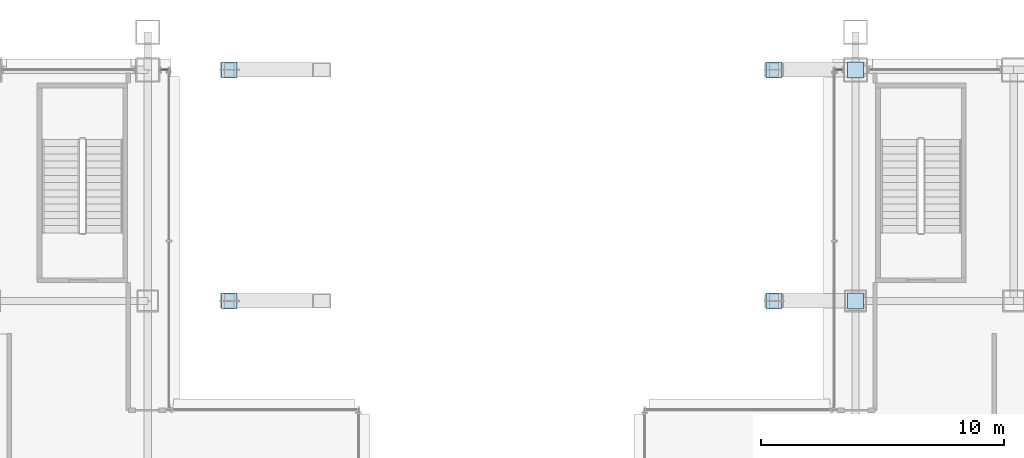
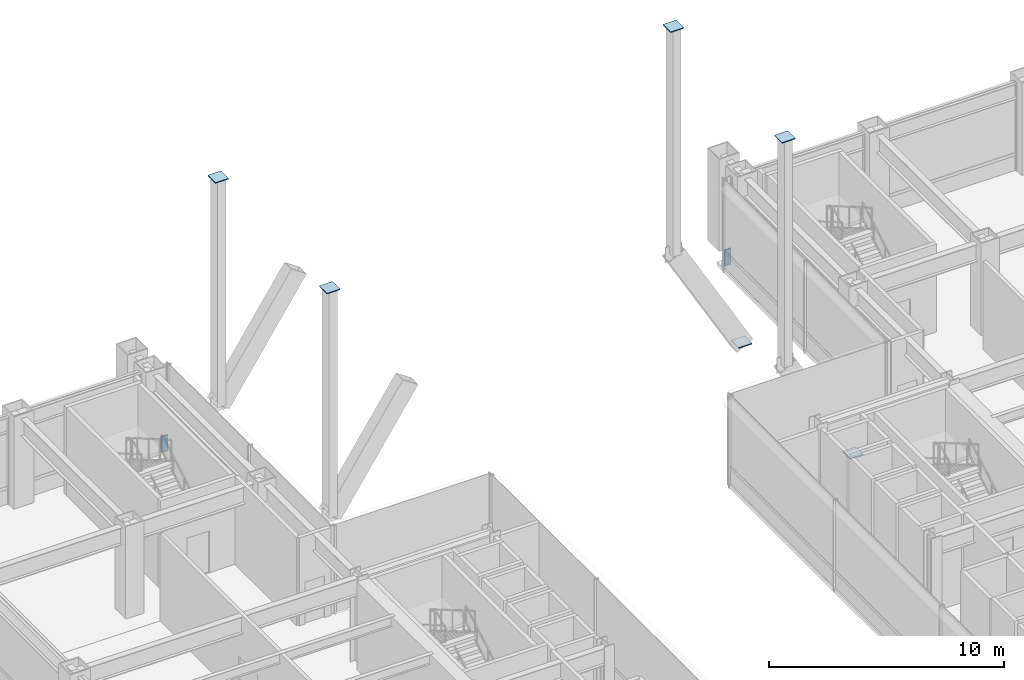
# One storey, part 34 of 40: 8 plates, 2 elements without a shape of their own.
"""IFC4 building model written with IfcOpenShell, lengths in metres."""

from ifc_helpers import new_model, si_unit, direction, frame, origin, origin_2d, place, context, subcontext, project, spatial, rectangle, extrude, material, layer, layer_set, type_object, element, aggregate, save


model = new_model("IFC4")

# Units and contexts
model_context = context("Model", 3, precision=1e-05, world=origin(), true_north=direction((0.0, 1.0)))
body_context = subcontext(model_context, "Body", "Model", "MODEL_VIEW")
ifc_project = project(units=[si_unit("LENGTHUNIT", "METRE"), si_unit("AREAUNIT", "SQUARE_METRE"), si_unit("VOLUMEUNIT", "CUBIC_METRE"), si_unit("PLANEANGLEUNIT", "RADIAN"), si_unit("MASSUNIT", "GRAM", prefix="KILO")], contexts=[model_context])

# Site, building, storey
site_placement = place(None, origin())
site = spatial("IfcSite", under=ifc_project, at=site_placement, CompositionType="ELEMENT")
building_placement = place(site_placement, origin())
building = spatial("IfcBuilding", under=site, at=building_placement, Name="Brelmoor Portico Tower", CompositionType="ELEMENT")
storey_placement = place(building_placement, frame((0.0, 0.0, 4.800048828125)))
storey = spatial("IfcBuildingStorey", under=building, at=storey_placement, Name="L01", CompositionType="ELEMENT", Elevation=4.800048828125)

# Plates
ifc_material_1 = material(Name="Steel Q355B", Category="steel")
ifc_layer_1 = layer(ifc_material_1, 0.044921875)
ifc_layer_set_1 = layer_set([ifc_layer_1], Name="Steel Q355B")
plate_type_1 = type_object("IfcPlateType", Name="PT-CAP-650", PredefinedType="SHEET", material=ifc_layer_set_1)
for number, where, z_axis, x_axis, name in (
    (1, (14.550048828125, 18.050048828125, -4.2724609375), (0.0, 0.0, 1.0), (1.0, 0.0, 0.0), "Giant Portico Arch Rib N2-8 Joint Cap Plate 2"),
    (2, (-11.199951171875, 18.050048828125, 13.33251953125), (0.0, 0.0, 1.0), (1.0, 0.0, 0.0), "Portico Arch Spandrel Strut N2-1 Joint Cap Plate 2"),
    (3, (11.199951171875, 18.050048828125, 13.33251953125), (0.0, 0.0, 1.0), (1.0, 0.0, 0.0), "Portico Arch Spandrel Strut N2-6 Joint Cap Plate 2"),
    (4, (14.550048828125, 27.550048828125, -4.2724609375), (0.0, 0.0, 1.0), (1.0, 0.0, 0.0), "Giant Portico Arch Rib N1-8 Joint Cap Plate 2"),
    (5, (-11.199951171875, 27.550048828125, 13.33251953125), (0.0, 0.0, 1.0), (1.0, 0.0, 0.0), "Portico Arch Spandrel Strut N1-1 Joint Cap Plate 2"),
    (6, (11.199951171875, 27.550048828125, 13.33251953125), (0.0, 0.0, 1.0), (1.0, 0.0, 0.0), "Portico Arch Spandrel Strut N1-6 Joint Cap Plate 2"),
):
    element("IfcPlate", number, at=place(storey_placement, frame(where, z_axis=z_axis, x_axis=x_axis)), inside=storey, type_object=plate_type_1, Name=name, PredefinedType="SHEET", context=body_context, shape_type="SweptSolid", body=[
        extrude(rectangle(XDim=0.64990234375, YDim=0.64990234375, at=origin_2d()), origin(), (0.0, 0.0, 1.0), 0.044921875),
    ])

# Curtain wall, plate
ifc_material_2 = material(Name="Anodised Aluminium Alloy 6063-T6", Category="aluminium")
ifc_layer_2 = layer(ifc_material_2, 0.179931640625)
ifc_layer_set_2 = layer_set([ifc_layer_2], Name="Anodised Aluminium Alloy 6063-T6")
curtain_wall_type = type_object("IfcCurtainWallType", Name="CW-PODIUM-ARCH", PredefinedType="NOTDEFINED", material=ifc_layer_set_2)
curtain_wall_1_placement = place(storey_placement, origin())
curtain_wall_1 = element("IfcCurtainWall", 7, at=curtain_wall_1_placement, inside=storey, type_object=curtain_wall_type, Name="L01 Curtain Wall CW-L01-03-3", PredefinedType="NOTDEFINED")
ifc_material_3 = material(Name="Pale Champagne Anodised Aluminium Panel", Category="aluminium")
ifc_layer_3 = layer(ifc_material_3, 0.050048828125)
ifc_layer_set_3 = layer_set([ifc_layer_3], Name="Pale Champagne Anodised Aluminium Panel")
plate_type_2 = type_object("IfcPlateType", Name="PT-CW-SPANDREL", PredefinedType="SHEET", material=ifc_layer_set_3)
plate_1_placement = place(storey_placement, frame((-13.860107421875, 27.550048828125, 0.0), z_axis=(0.0, 0.0, 1.0), x_axis=(1.0, 0.0, 0.0)))
plate_1 = element("IfcPlate", 8, at=plate_1_placement, type_object=plate_type_2, Name="CW-L01-03-3 Spandrel Panel 00", PredefinedType="SHEET", context=body_context, shape_type="SweptSolid", body=[
    extrude(rectangle(XDim=0.330078125, YDim=0.050048828125, at=origin_2d()), origin(), (0.0, 0.0, 1.0), 0.85009765625),
])
aggregate(curtain_wall_1, [plate_1])

curtain_wall_2_placement = place(storey_placement, origin())
curtain_wall_2 = element("IfcCurtainWall", 9, at=curtain_wall_2_placement, inside=storey, type_object=curtain_wall_type, Name="L01 Curtain Wall CW-L01-04-1", PredefinedType="NOTDEFINED")
plate_2_placement = place(storey_placement, frame((13.860107421875, 27.550048828125, 0.0), z_axis=(0.0, 0.0, 1.0), x_axis=(1.0, 0.0, 0.0)))
plate_2 = element("IfcPlate", 10, at=plate_2_placement, type_object=plate_type_2, Name="CW-L01-04-1 Spandrel Panel 00", PredefinedType="SHEET", context=body_context, shape_type="SweptSolid", body=[
    extrude(rectangle(XDim=0.330078125, YDim=0.050048828125, at=origin_2d()), origin(), (0.0, 0.0, 1.0), 0.85009765625),
])
aggregate(curtain_wall_2, [plate_2])

save(model, "model.ifc")
